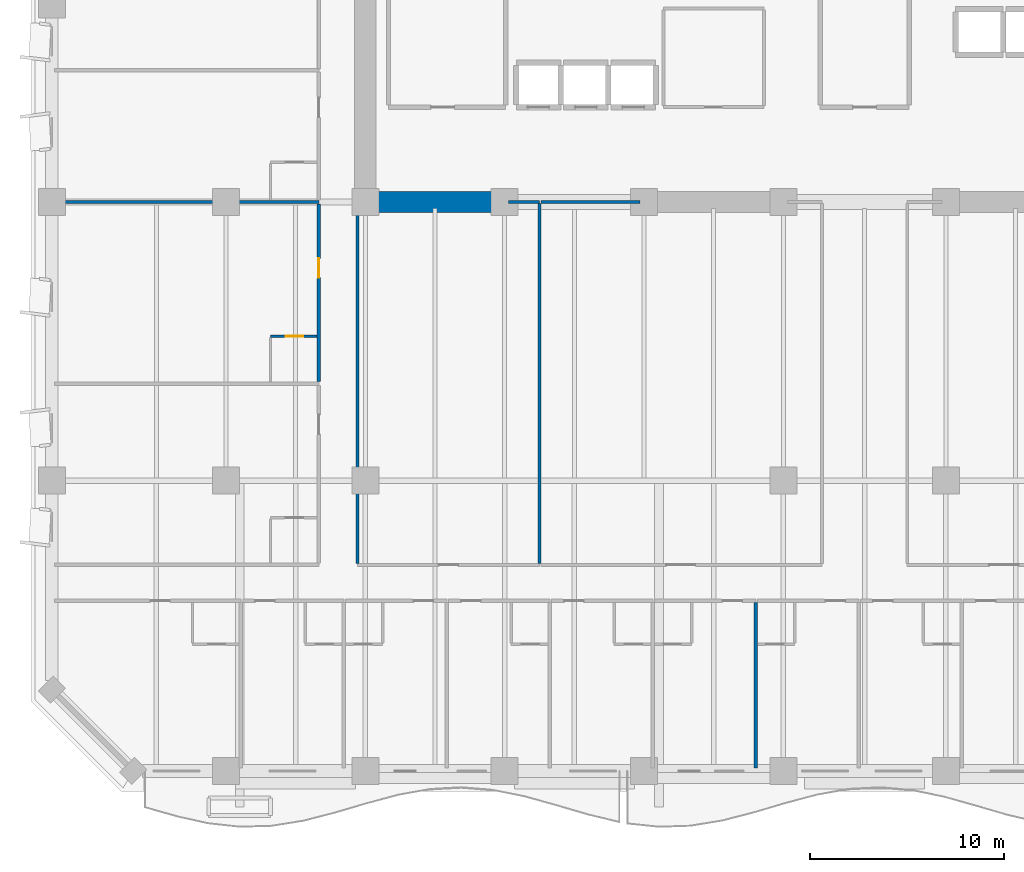
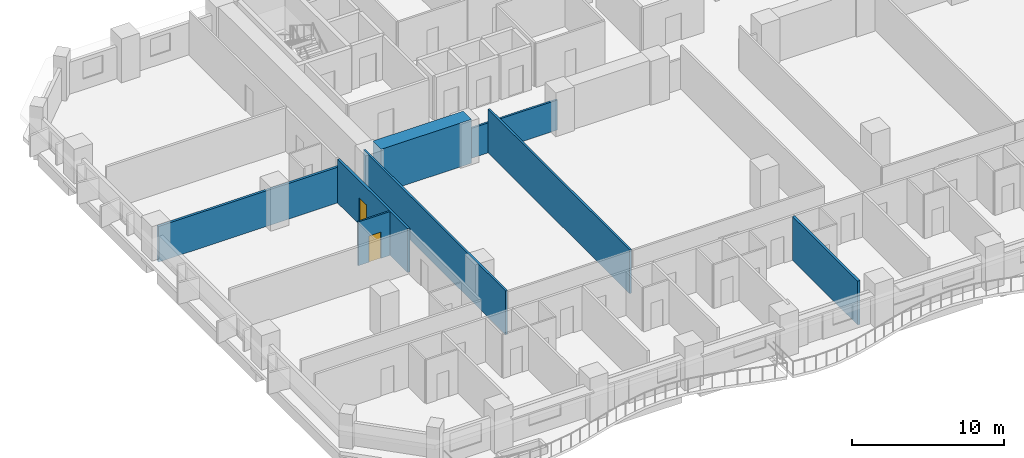
# One storey, part 5 of 16: 9 walls, 2 doors, 2 openings.
"""IFC4 building model written with IfcOpenShell, lengths in metres."""

import ifcopenshell
import ifcopenshell.guid

model = None  # the IFC model being written
_history = None  # IfcOwnerHistory: only IFC2X3 demands one
_inside = {}  # id of a spatial element -> (the spatial element, [elements in it])
_under = {}  # id of a project, library or spatial element -> (it, [spatial elements below it])
_declared = {}  # id of a project -> (the project, [libraries it declares])
_typed = {}  # id of a type object -> (the type object, [elements of that type])
_made_of = {}  # id of a material, layer set ... -> (it, [elements and type objects made of it])


def new_model(schema):
    """Start an empty IFC model of exactly this schema.

    Asked for "IFC4X3", IfcOpenShell would pick the latest addendum, in which some entities
    have other attributes; the version numbers below select the first issue.
    IFC2X3 requires an IfcOwnerHistory on every rooted entity: one is made here for all.
    """
    global model, _history
    if schema == "IFC4X3":
        model = ifcopenshell.file(schema_version=(4, 3, 0, 0))
    else:
        model = ifcopenshell.file(schema=schema)
    _inside.clear()
    _under.clear()
    _declared.clear()
    _typed.clear()
    _made_of.clear()
    _history = None
    if model.schema == "IFC2X3":
        org = make("IfcOrganization", Name="unknown")
        user = make(
            "IfcPersonAndOrganization",
            ThePerson=make("IfcPerson", FamilyName="unknown"),
            TheOrganization=org,
        )
        app = make(
            "IfcApplication",
            ApplicationDeveloper=org,
            Version="unknown",
            ApplicationFullName="unknown",
            ApplicationIdentifier="unknown",
        )
        _history = make(
            "IfcOwnerHistory",
            OwningUser=user,
            OwningApplication=app,
            ChangeAction="ADDED",
            CreationDate=0,
        )
    return model


def make(cls, **values):
    """One entity of the class cls with the attributes given. An attribute that is None is left unset."""
    return model.create_entity(
        cls, **{name: value for name, value in values.items() if value is not None}
    )


def rooted(cls, **values):
    """An entity with a GlobalId (a new one), such as an element, a storey or a relation."""
    return make(cls, GlobalId=ifcopenshell.guid.new(), OwnerHistory=_history, **values)


def si_unit(unit_type, name, prefix=None):
    """IfcSIUnit, for example si_unit("LENGTHUNIT", "METRE", prefix="MILLI")."""
    return make("IfcSIUnit", UnitType=unit_type, Prefix=prefix, Name=name)


def assignment(units):
    """IfcUnitAssignment: the units of a project."""
    return None if units is None else make("IfcUnitAssignment", Units=units)


def point(xyz):
    """IfcCartesianPoint."""
    return None if xyz is None else make("IfcCartesianPoint", Coordinates=xyz)


def direction(xyz):
    """IfcDirection."""
    return None if xyz is None else make("IfcDirection", DirectionRatios=xyz)


def frame(location, z_axis=None, x_axis=None):
    """IfcAxis2Placement3D, a coordinate frame: its origin and axes. An axis left out is left unset."""
    return make(
        "IfcAxis2Placement3D",
        Location=point(location),
        Axis=direction(z_axis),
        RefDirection=direction(x_axis),
    )


def frame_2d(location, x_axis=None):
    """IfcAxis2Placement2D, a coordinate frame in the plane: its origin and x axis."""
    return make(
        "IfcAxis2Placement2D", Location=point(location), RefDirection=direction(x_axis)
    )


def origin():
    """The frame at (0, 0, 0) with its axes left unset."""
    return frame((0.0, 0.0, 0.0))


def place(relative_to, where):
    """IfcLocalPlacement: puts the frame where relative to a parent placement (None: the world)."""
    return make(
        "IfcLocalPlacement", PlacementRelTo=relative_to, RelativePlacement=where
    )


def context(
    kind, dimensions, precision=None, world=None, true_north=None, identifier=None
):
    """IfcGeometricRepresentationContext, for example the 3D "Model" context."""
    return make(
        "IfcGeometricRepresentationContext",
        ContextIdentifier=identifier,
        ContextType=kind,
        CoordinateSpaceDimension=dimensions,
        Precision=precision,
        WorldCoordinateSystem=world,
        TrueNorth=true_north,
    )


def subcontext(parent, identifier, kind, view, scale=None):
    """IfcGeometricRepresentationSubContext, for example "Body" below "Model"."""
    return make(
        "IfcGeometricRepresentationSubContext",
        ContextIdentifier=identifier,
        ContextType=kind,
        ParentContext=parent,
        TargetScale=scale,
        TargetView=view,
    )


def project(units=None, contexts=None):
    """IfcProject with its units and contexts."""
    return rooted(
        "IfcProject",
        Name="project",
        RepresentationContexts=contexts,
        UnitsInContext=assignment(units),
    )


def spatial(cls, under=None, at=None, **own):
    """A site, building, storey or space (cls), placed at a placement, below another one or the project."""
    s = rooted(cls, ObjectPlacement=at, **own)
    if under is not None:
        _under.setdefault(under.id(), (under, []))[1].append(s)
    return s


def profile(cls, at=None, kind="AREA", **sizes):
    """A parametric profile (cls). Its sizes go by their IFC names, for example OverallWidth=200.0."""
    return make(cls, ProfileType=kind, Position=at, **sizes)


def rectangle(**sizes):
    """IfcRectangleProfileDef."""
    return profile("IfcRectangleProfileDef", **sizes)


def extrude(swept, where, along, depth):
    """IfcExtrudedAreaSolid: the profile swept, set in the frame where, extruded along a direction by depth."""
    return make(
        "IfcExtrudedAreaSolid",
        SweptArea=swept,
        Position=where,
        ExtrudedDirection=direction(along),
        Depth=depth,
    )


def shape(context_of_items, identifier, shape_type, items):
    """IfcShapeRepresentation: the items that make up one representation, for example the "Body"."""
    return make(
        "IfcShapeRepresentation",
        ContextOfItems=context_of_items,
        RepresentationIdentifier=identifier,
        RepresentationType=shape_type,
        Items=items,
    )


def material(Name=None, Category=None):
    """IfcMaterial."""
    return make("IfcMaterial", Name=Name, Category=Category)


def layer(
    of_material, thickness, ventilated=None, Name=None, Category=None, Priority=None
):
    """IfcMaterialLayer: one layer of a wall or slab, of a material (None: an air gap)."""
    return make(
        "IfcMaterialLayer",
        Material=of_material,
        LayerThickness=thickness,
        IsVentilated=ventilated,
        Name=Name,
        Category=Category,
        Priority=Priority,
    )


def layer_set(layers, Name=None):
    """IfcMaterialLayerSet."""
    return make("IfcMaterialLayerSet", MaterialLayers=layers, LayerSetName=Name)


def made_of(thing, what):
    """Note that an element or type object is made of a material, layer set ...; save() writes the relation."""
    if what is not None:
        _made_of.setdefault(what.id(), (what, []))[1].append(thing)
    return thing


def type_object(cls, material=None, **own):
    """A type object (cls), such as IfcWallType, which elements share."""
    return made_of(rooted(cls, **own), material)


def element(
    cls,
    number,
    at=None,
    inside=None,
    cuts=None,
    type_object=None,
    material=None,
    context=None,
    identifier="Body",
    shape_type=None,
    held_by="IfcProductDefinitionShape",
    body=None,
    shapes=None,
    **own,
):
    """One element of the class cls, such as IfcWall. Its Tag is "e" and its number.

    at: its placement. inside: the storey or other place that contains it. cuts: it is an
    opening in that element (IfcRelVoidsElement). A single representation is given by context,
    identifier, shape_type and body (its items); several are given by shapes. held_by: the class
    of the entity that holds the representations. save() writes the other relations.
    """
    e = rooted(cls, Tag="e%d" % number, ObjectPlacement=at, **own)
    if body is not None:
        shapes = [shape(context, identifier, shape_type, body)]
    if shapes is not None:
        e.Representation = make(held_by, Representations=shapes)
    if inside is not None:
        _inside.setdefault(inside.id(), (inside, []))[1].append(e)
    if cuts is not None:
        rooted(
            "IfcRelVoidsElement", RelatingBuildingElement=cuts, RelatedOpeningElement=e
        )
    if type_object is not None:
        _typed.setdefault(type_object.id(), (type_object, []))[1].append(e)
    return made_of(e, material)


def fill(opening, filler):
    """IfcRelFillsElement: the door or window that sits in an opening."""
    return rooted(
        "IfcRelFillsElement",
        RelatingOpeningElement=opening,
        RelatedBuildingElement=filler,
    )


def aggregate(whole, parts):
    """IfcRelAggregates: a whole, such as a stair, and the parts it consists of."""
    return rooted("IfcRelAggregates", RelatingObject=whole, RelatedObjects=parts)


def save(model, path):
    """Write the relations noted so far, then the file.

    IfcRelAggregates (storeys below a building ...), IfcRelContainedInSpatialStructure (elements
    in a storey), IfcRelDefinesByType, IfcRelAssociatesMaterial and IfcRelDeclares: one each for
    every whole, place, type object, material and project.
    """
    for whole, parts in _under.values():
        aggregate(whole, parts)
    for where, things in _inside.values():
        rooted(
            "IfcRelContainedInSpatialStructure",
            RelatedElements=things,
            RelatingStructure=where,
        )
    for kind, things in _typed.values():
        rooted("IfcRelDefinesByType", RelatedObjects=things, RelatingType=kind)
    for what, things in _made_of.values():
        rooted("IfcRelAssociatesMaterial", RelatedObjects=things, RelatingMaterial=what)
    for by, libraries in _declared.values():
        rooted("IfcRelDeclares", RelatingContext=by, RelatedDefinitions=libraries)
    model.write(path)


model = new_model("IFC4")

# Units and contexts
model_context = context("Model", 3, precision=1e-05, world=origin(), true_north=direction((0.0, 1.0)))
body_context = subcontext(model_context, "Body", "Model", "MODEL_VIEW")
ifc_project = project(units=[si_unit("LENGTHUNIT", "METRE"), si_unit("AREAUNIT", "SQUARE_METRE"), si_unit("VOLUMEUNIT", "CUBIC_METRE"), si_unit("PLANEANGLEUNIT", "RADIAN"), si_unit("MASSUNIT", "GRAM", prefix="KILO")], contexts=[model_context])

# Site, building, storey
site_placement = place(None, origin())
site = spatial("IfcSite", under=ifc_project, at=site_placement, CompositionType="ELEMENT")
building_placement = place(site_placement, origin())
building = spatial("IfcBuilding", under=site, at=building_placement, Name="Kaelvorn Grand Hotel", CompositionType="ELEMENT")
storey_placement = place(building_placement, frame((0.0, 0.0, 35.14990234375)))
storey = spatial("IfcBuildingStorey", under=building, at=storey_placement, Name="L06", CompositionType="ELEMENT", Elevation=35.14990234375)

# Wall
ifc_material_1 = material(Name="Concrete C80/95", Category="concrete")
ifc_layer_1 = layer(ifc_material_1, 1.10009765625)
ifc_layer_set_1 = layer_set([ifc_layer_1], Name="Concrete C80/95")
wall_type_1 = type_object("IfcWallType", Name="WL-CORE-1100-C80", PredefinedType="SHEAR", material=ifc_layer_set_1)
wall_1_placement = place(storey_placement, frame((16.7548828125, 29.39990234375, 0.0), z_axis=(0.0, 0.0, 1.0), x_axis=(1.0, 0.0, 0.0)))
element("IfcWall", 1, at=wall_1_placement, inside=storey, type_object=wall_type_1, Name="L06 Rear-Core Coupled Shear Pier S1", PredefinedType="SHEAR", context=body_context, shape_type="SweptSolid", body=[
    extrude(rectangle(XDim=6.84521484375, YDim=1.10009765625, at=frame_2d((3.422607421875, 0.0))), origin(), (0.0, 0.0, 1.0), 3.510009765625),
])

# Wall, opening, door
ifc_material_2 = material(Name="Moisture-Resistant Tile & Stud Board")
ifc_layer_2 = layer(ifc_material_2, 0.125)
ifc_layer_set_2 = layer_set([ifc_layer_2], Name="Moisture-Resistant Tile & Stud Board")
wall_type_2 = type_object("IfcWallType", Name="WL-PART-125-WET", PredefinedType="PARTITIONING", material=ifc_layer_set_2)
wall_2_placement = place(storey_placement, frame((11.300048828125, 22.4599609375, 0.0), z_axis=(0.0, 0.0, 1.0), x_axis=(1.0, 0.0, 0.0)))
wall_2 = element("IfcWall", 2, at=wall_2_placement, inside=storey, type_object=wall_type_2, Name="L06 En-suite Bathroom L06-15 N Partition", PredefinedType="PARTITIONING", context=body_context, shape_type="SweptSolid", body=[
    extrude(rectangle(XDim=2.405029296875, YDim=0.125, at=frame_2d((1.20263671875, 0.0))), origin(), (0.0, 0.0, 1.0), 3.510009765625),
])
opening_1_placement = place(wall_2_placement, frame((0.800048828125, 0.0, 0.0)))
opening_1 = element("IfcOpeningElement", 3, at=opening_1_placement, cuts=wall_2, Name="Opening DI4", PredefinedType="OPENING", context=body_context, shape_type="SweptSolid", body=[
    extrude(rectangle(XDim=0.89990234375, YDim=2.10009765625, at=frame_2d((0.449951171875, 1.050048828125))), frame((0.0, 0.072509765625, 0.0), z_axis=(0.0, -1.0, 0.0), x_axis=(1.0, 0.0, 0.0)), (0.0, 0.0, 1.0), 0.14501953125),
])
ifc_material_3 = material(Name="Timber Veneer Leaf", Category="wood")
door_type_1 = type_object("IfcDoorType", Name="DR-INT-BATH-900x2100", OperationType="NOTDEFINED", PredefinedType="DOOR", material=ifc_material_3)
door_1_placement = place(opening_1_placement, origin())
door_1 = element("IfcDoor", 4, at=door_1_placement, inside=storey, type_object=door_type_1, Name="L06 En-suite Bathroom L06-15 Door", OperationType="SINGLE_SWING_RIGHT", OverallHeight=2.10009765625, OverallWidth=0.89990234375, PredefinedType="DOOR", context=body_context, shape_type="SweptSolid", body=[
    extrude(rectangle(XDim=0.89990234375, YDim=2.10009765625, at=frame_2d((0.449951171875, 1.050048828125))), frame((0.0, 0.02490234375, 0.0), z_axis=(0.0, -1.0, 0.0), x_axis=(1.0, 0.0, 0.0)), (0.0, 0.0, 1.0), 0.050048828125),
])
fill(opening_1, door_1)

# Walls
ifc_material_4 = material(Name="Acoustic Gypsum & Stud Partition")
ifc_layer_3 = layer(ifc_material_4, 0.14990234375)
ifc_layer_set_3 = layer_set([ifc_layer_3], Name="Acoustic Gypsum & Stud Partition")
wall_type_3 = type_object("IfcWallType", Name="WL-PART-150-EI60", PredefinedType="PARTITIONING", material=ifc_layer_set_3)
wall_3_placement = place(storey_placement, frame((23.610107421875, 29.39990234375, 0.0), z_axis=(0.0, 0.0, 1.0), x_axis=(1.0, 0.0, 0.0)))
element("IfcWall", 5, at=wall_3_placement, inside=storey, type_object=wall_type_3, Name="L06 Executive Meeting Boardroom N Partition", PredefinedType="PARTITIONING", context=body_context, shape_type="SweptSolid", body=[
    extrude(rectangle(XDim=1.58984375, YDim=0.14990234375, at=frame_2d((0.794921875, 0.0))), origin(), (0.0, 0.0, 1.0), 2.41015625),
])
wall_4_placement = place(storey_placement, frame((15.800048828125, 10.72998046875, 0.0), z_axis=(0.0, 0.0, 1.0), x_axis=(0.0, 1.0, 0.0)))
element("IfcWall", 6, at=wall_4_placement, inside=storey, type_object=wall_type_3, Name="L06 Executive Meeting Boardroom W Partition", PredefinedType="PARTITIONING", context=body_context, shape_type="SweptSolid", body=[
    extrude(rectangle(XDim=18.659912109375, YDim=0.14990234375, at=frame_2d((9.330078125, 0.0))), origin(), (0.0, 0.0, 1.0), 3.510009765625),
])
wall_5_placement = place(storey_placement, frame((25.199951171875, 10.72998046875, 0.0), z_axis=(0.0, 0.0, 1.0), x_axis=(0.0, 1.0, 0.0)))
element("IfcWall", 7, at=wall_5_placement, inside=storey, type_object=wall_type_3, Name="L06 Executive Meeting Boardroom E Partition", PredefinedType="PARTITIONING", context=body_context, shape_type="SweptSolid", body=[
    extrude(rectangle(XDim=18.590087890625, YDim=0.14990234375, at=frame_2d((9.294921875, 0.0))), origin(), (0.0, 0.0, 1.0), 3.510009765625),
])
wall_6_placement = place(storey_placement, frame((25.280029296875, 29.39990234375, 0.0), z_axis=(0.0, 0.0, 1.0), x_axis=(1.0, 0.0, 0.0)))
element("IfcWall", 8, at=wall_6_placement, inside=storey, type_object=wall_type_3, Name="L06 Guest Butler Kitchen N Partition (1)", PredefinedType="PARTITIONING", context=body_context, shape_type="SweptSolid", body=[
    extrude(rectangle(XDim=5.10986328125, YDim=0.14990234375, at=frame_2d((2.554931640625, 0.0))), origin(), (0.0, 0.0, 1.0), 2.41015625),
])
ifc_layer_4 = layer(ifc_material_4, 0.179931640625)
ifc_layer_set_4 = layer_set([ifc_layer_4], Name="Acoustic Gypsum & Stud Partition")
wall_type_4 = type_object("IfcWallType", Name="WL-PART-180-EI60", PredefinedType="PARTITIONING", material=ifc_layer_set_4)
wall_7_placement = place(storey_placement, frame((36.37744140625, 0.14990234375, 0.0), z_axis=(0.0, 0.0, 1.0), x_axis=(0.0, 1.0, 0.0)))
element("IfcWall", 9, at=wall_7_placement, inside=storey, type_object=wall_type_4, Name="L06 Deluxe King Guest Room L06-06 E Partition", PredefinedType="PARTITIONING", context=body_context, shape_type="SweptSolid", body=[
    extrude(rectangle(XDim=8.55517578125, YDim=0.179931640625, at=frame_2d((4.277587890625, 0.0))), origin(), (0.0, 0.0, 1.0), 3.510009765625),
])
wall_8_placement = place(storey_placement, frame((0.14990234375, 29.39990234375, 0.0), z_axis=(0.0, 0.0, 1.0), x_axis=(1.0, 0.0, 0.0)))
element("IfcWall", 10, at=wall_8_placement, inside=storey, type_object=wall_type_4, Name="L06 West Mid-Wing Suite L06-15 N Partition", PredefinedType="PARTITIONING", context=body_context, shape_type="SweptSolid", body=[
    extrude(rectangle(XDim=13.650146484375, YDim=0.179931640625, at=frame_2d((6.8251953125, 0.0))), origin(), (0.0, 0.0, 1.0), 2.860107421875),
])

# Wall, opening, door
wall_9_placement = place(storey_placement, frame((13.800048828125, 20.114990234375, 0.0), z_axis=(0.0, 0.0, 1.0), x_axis=(0.0, 1.0, 0.0)))
wall_9 = element("IfcWall", 11, at=wall_9_placement, inside=storey, type_object=wall_type_4, Name="L06 West Mid-Wing Suite L06-15 E Partition", PredefinedType="PARTITIONING", context=body_context, shape_type="SweptSolid", body=[
    extrude(rectangle(XDim=9.18994140625, YDim=0.179931640625, at=frame_2d((4.594970703125, 0.0))), origin(), (0.0, 0.0, 1.0), 3.510009765625),
])
opening_2_placement = place(wall_9_placement, frame((5.375, 0.0, 0.0)))
opening_2 = element("IfcOpeningElement", 12, at=opening_2_placement, cuts=wall_9, Name="Opening DI3", PredefinedType="OPENING", context=body_context, shape_type="SweptSolid", body=[
    extrude(rectangle(XDim=1.0, YDim=2.14990234375, at=frame_2d((0.5, 1.074951171875))), frame((0.0, 0.10009765625, 0.0), z_axis=(0.0, -1.0, 0.0), x_axis=(1.0, 0.0, 0.0)), (0.0, 0.0, 1.0), 0.199951171875),
])
ifc_material_5 = material(Name="Timber Veneer Fire Leaf", Category="wood")
door_type_2 = type_object("IfcDoorType", Name="DR-INT-GUEST-1000x2150", OperationType="NOTDEFINED", PredefinedType="DOOR", material=ifc_material_5)
door_2_placement = place(opening_2_placement, origin())
door_2 = element("IfcDoor", 13, at=door_2_placement, inside=storey, type_object=door_type_2, Name="L06 West Mid-Wing Suite L06-15 Door", OperationType="SINGLE_SWING_LEFT", OverallHeight=2.14990234375, OverallWidth=1.0, PredefinedType="DOOR", context=body_context, shape_type="SweptSolid", body=[
    extrude(rectangle(XDim=1.0, YDim=2.14990234375, at=frame_2d((0.5, 1.074951171875))), frame((0.0, 0.02490234375, 0.0), z_axis=(0.0, -1.0, 0.0), x_axis=(1.0, 0.0, 0.0)), (0.0, 0.0, 1.0), 0.050048828125),
])
fill(opening_2, door_2)

save(model, "model.ifc")
